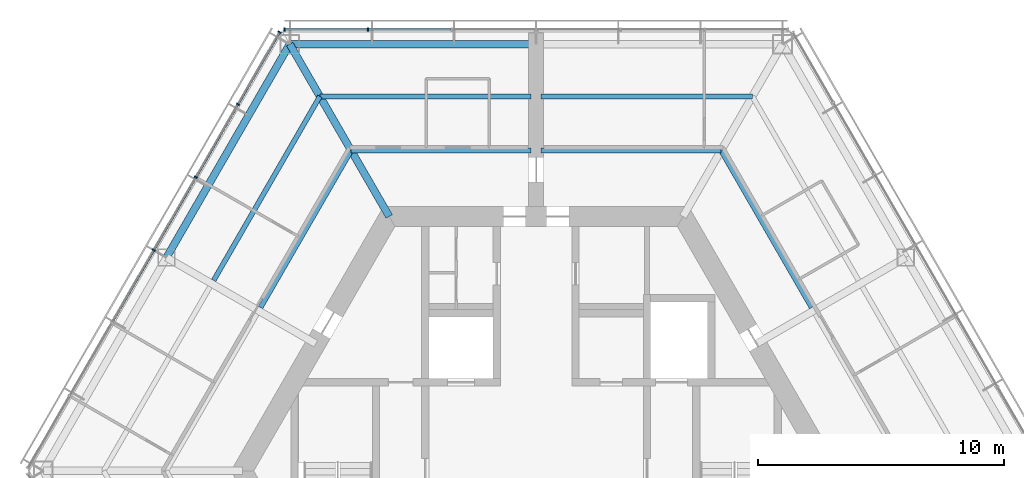
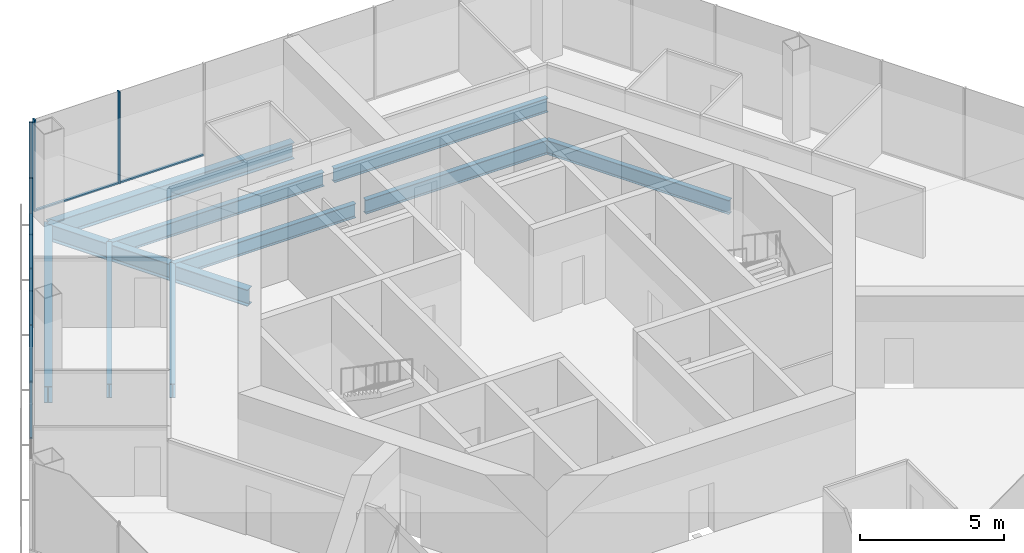
# One storey, part 6 of 16: 12 members, 10 beams, 2 elements without a shape of their own.
"""IFC4 building model written with IfcOpenShell, lengths in metres."""

from ifc_helpers import new_model, si_unit, direction, frame, origin, origin_2d, place, context, subcontext, project, spatial, rectangle, i_section, extrude, material, material_profile, profile_set, type_object, element, aggregate, save


model = new_model("IFC4")

# Units and contexts
model_context = context("Model", 3, precision=1e-05, world=origin(), true_north=direction((0.0, 1.0)))
body_context = subcontext(model_context, "Body", "Model", "MODEL_VIEW")
ifc_project = project(units=[si_unit("LENGTHUNIT", "METRE"), si_unit("AREAUNIT", "SQUARE_METRE"), si_unit("VOLUMEUNIT", "CUBIC_METRE"), si_unit("PLANEANGLEUNIT", "RADIAN"), si_unit("MASSUNIT", "GRAM", prefix="KILO")], contexts=[model_context])

# Site, building, storey
site_placement = place(None, origin())
site = spatial("IfcSite", under=ifc_project, at=site_placement, CompositionType="ELEMENT")
building_placement = place(site_placement, origin())
building = spatial("IfcBuilding", under=site, at=building_placement, Name="Kasaneha Research Tower", CompositionType="ELEMENT")
storey_placement = place(building_placement, frame((0.0, 0.0, 263.5)))
storey = spatial("IfcBuildingStorey", under=building, at=storey_placement, Name="L66", CompositionType="ELEMENT", Elevation=263.5)

# Beams
ifc_material_1 = material(Name="Steel SN490B", Category="steel")
ifc_material_profile_1 = material_profile(ifc_material_1, i_section(OverallWidth=0.199951171875, OverallDepth=0.60009765625, WebThickness=0.010986328125, FlangeThickness=0.01708984375, FilletRadius=0.012939453125, at=origin_2d()), Name="H-600x200x11x17")
ifc_profile_set_1 = profile_set([ifc_material_profile_1], Name="Steel SN490B")
beam_type_1 = type_object("IfcBeamType", Name="B1-3 secondary beam H-600x200x11x17", PredefinedType="JOIST", material=ifc_profile_set_1)
beam_1_placement = place(storey_placement, frame((7.505615234375, 13.0, -0.449951171875), z_axis=(0.499994443168, -0.866028611999, 0.0), x_axis=(0.866028611999, 0.499994443168, 0.0)))
element("IfcBeam", 1, at=beam_1_placement, inside=storey, type_object=beam_type_1, Name="Secondary beam RS030R1 L66", PredefinedType="JOIST", context=body_context, shape_type="SweptSolid", body=[
    extrude(i_section(OverallWidth=0.199951171875, OverallDepth=0.60009765625, WebThickness=0.010986328125, FlangeThickness=0.01708984375, FilletRadius=0.012939453125, at=origin_2d()), origin(), (0.0, 0.0, 1.0), 7.35546875),
])
beam_2_placement = place(storey_placement, frame((7.505615234375, 13.0, -0.449951171875), z_axis=(-1.0, 0.0, 0.0), x_axis=(0.0, -1.0, 0.0)))
element("IfcBeam", 2, at=beam_2_placement, inside=storey, type_object=beam_type_1, Name="Secondary beam RS090L1 L66", PredefinedType="JOIST", context=body_context, shape_type="SweptSolid", body=[
    extrude(i_section(OverallWidth=0.199951171875, OverallDepth=0.60009765625, WebThickness=0.010986328125, FlangeThickness=0.01708984375, FilletRadius=0.012939453125, at=origin_2d()), origin(), (0.0, 0.0, 1.0), 7.3056640625),
])
beam_3_placement = place(storey_placement, frame((8.775634765625, 15.199951171875, -0.449951171875), z_axis=(-1.0, 0.0, 0.0), x_axis=(0.0, -1.0, 0.0)))
element("IfcBeam", 3, at=beam_3_placement, inside=storey, type_object=beam_type_1, Name="Secondary beam RS090L2 L66", PredefinedType="JOIST", context=body_context, shape_type="SweptSolid", body=[
    extrude(i_section(OverallWidth=0.199951171875, OverallDepth=0.60009765625, WebThickness=0.010986328125, FlangeThickness=0.01708984375, FilletRadius=0.012939453125, at=origin_2d()), origin(), (0.0, 0.0, 1.0), 8.57568359375),
])
beam_4_placement = place(storey_placement, frame((-7.505615234375, 13.0, -0.449951171875), z_axis=(1.0, 0.0, 0.0), x_axis=(0.0, 1.0, 0.0)))
element("IfcBeam", 4, at=beam_4_placement, inside=storey, type_object=beam_type_1, Name="Secondary beam RS090R1 L66", PredefinedType="JOIST", context=body_context, shape_type="SweptSolid", body=[
    extrude(i_section(OverallWidth=0.199951171875, OverallDepth=0.60009765625, WebThickness=0.010986328125, FlangeThickness=0.01708984375, FilletRadius=0.012939453125, at=origin_2d()), origin(), (0.0, 0.0, 1.0), 7.3056640625),
])
beam_5_placement = place(storey_placement, frame((-8.775634765625, 15.199951171875, -0.449951171875), z_axis=(1.0, 0.0, 0.0), x_axis=(0.0, 1.0, 0.0)))
element("IfcBeam", 5, at=beam_5_placement, inside=storey, type_object=beam_type_1, Name="Secondary beam RS090R2 L66", PredefinedType="JOIST", context=body_context, shape_type="SweptSolid", body=[
    extrude(i_section(OverallWidth=0.199951171875, OverallDepth=0.60009765625, WebThickness=0.010986328125, FlangeThickness=0.01708984375, FilletRadius=0.012939453125, at=origin_2d()), origin(), (0.0, 0.0, 1.0), 8.57568359375),
])
beam_6_placement = place(storey_placement, frame((-7.505615234375, 13.0, -0.449951171875), z_axis=(-0.499994443168, -0.866028611999, 0.0), x_axis=(0.866028611999, -0.499994443168, 0.0)))
element("IfcBeam", 6, at=beam_6_placement, inside=storey, type_object=beam_type_1, Name="Secondary beam RS150L1 L66", PredefinedType="JOIST", context=body_context, shape_type="SweptSolid", body=[
    extrude(i_section(OverallWidth=0.199951171875, OverallDepth=0.60009765625, WebThickness=0.010986328125, FlangeThickness=0.01708984375, FilletRadius=0.012939453125, at=origin_2d()), origin(), (0.0, 0.0, 1.0), 7.35546875),
])
beam_7_placement = place(storey_placement, frame((-8.775634765625, 15.199951171875, -0.449951171875), z_axis=(-0.500017275495, -0.866015429543, 0.0), x_axis=(0.866015429543, -0.500017275495, 0.0)))
element("IfcBeam", 7, at=beam_7_placement, inside=storey, type_object=beam_type_1, Name="Secondary beam RS150L2 L66", PredefinedType="JOIST", context=body_context, shape_type="SweptSolid", body=[
    extrude(i_section(OverallWidth=0.199951171875, OverallDepth=0.60009765625, WebThickness=0.010986328125, FlangeThickness=0.01708984375, FilletRadius=0.012939453125, at=origin_2d()), origin(), (0.0, 0.0, 1.0), 8.625732421875),
])

# Curtain wall, members
ifc_material_2 = material(Name="Glass and aluminium", Category="aluminium")
curtain_wall_type = type_object("IfcCurtainWallType", Name="High-rise office curtain wall", PredefinedType="USERDEFINED", material=ifc_material_2)
curtain_wall_1_placement = place(storey_placement, origin())
curtain_wall_1 = element("IfcCurtainWall", 8, at=curtain_wall_1_placement, inside=storey, type_object=curtain_wall_type, Name="CW-O3 L66 run 02a", ObjectType="UNITISED CURTAIN WALL", PredefinedType="USERDEFINED")
ifc_material_3 = material(Name="Aluminium 6063-T6", Category="aluminium")
ifc_material_profile_2 = material_profile(ifc_material_3, rectangle(XDim=0.06005859375, YDim=0.139892578125, at=origin_2d()), Name="CW-O3 mullion 60x140")
ifc_profile_set_2 = profile_set([ifc_material_profile_2], Name="Aluminium 6063-T6")
member_type_1 = type_object("IfcMemberType", Name="CW-O3 mullion", PredefinedType="MULLION", material=ifc_profile_set_2)
member_1_placement = place(storey_placement, frame((-6.8310546875, 17.92041015625, 0.0), z_axis=(0.0, 0.0, 1.0), x_axis=(-1.0, 0.0, 0.0)))
member_1 = element("IfcMember", 9, at=member_1_placement, type_object=member_type_1, Name="CW-O3 mullion 6", PredefinedType="MULLION", context=body_context, shape_type="SweptSolid", body=[
    extrude(rectangle(XDim=0.06005859375, YDim=0.139892578125, at=origin_2d()), origin(), (0.0, 0.0, 1.0), 3.89990234375),
])
member_2_placement = place(storey_placement, frame((-10.21630859375, 17.92041015625, 0.0), z_axis=(0.0, 0.0, 1.0), x_axis=(-1.0, 0.0, 0.0)))
member_2 = element("IfcMember", 10, at=member_2_placement, type_object=member_type_1, Name="CW-O3 mullion 7", PredefinedType="MULLION", context=body_context, shape_type="SweptSolid", body=[
    extrude(rectangle(XDim=0.06005859375, YDim=0.139892578125, at=origin_2d()), origin(), (0.0, 0.0, 1.0), 3.89990234375),
])

curtain_wall_2_placement = place(storey_placement, origin())
curtain_wall_2 = element("IfcCurtainWall", 11, at=curtain_wall_2_placement, inside=storey, type_object=curtain_wall_type, Name="CW-O3 L66 run 03a", ObjectType="UNITISED CURTAIN WALL", PredefinedType="USERDEFINED")
member_3_placement = place(storey_placement, frame((-10.411376953125, 17.807861328125, 0.0), z_axis=(0.0, 0.0, 1.0), x_axis=(-0.499999995722, -0.866025406254, 0.0)))
member_3 = element("IfcMember", 12, at=member_3_placement, type_object=member_type_1, Name="CW-O3 mullion 1", PredefinedType="MULLION", context=body_context, shape_type="SweptSolid", body=[
    extrude(rectangle(XDim=0.06005859375, YDim=0.139892578125, at=origin_2d()), origin(), (0.0, 0.0, 1.0), 3.89990234375),
])
member_4_placement = place(storey_placement, frame((-12.104248046875, 14.8759765625, 0.0), z_axis=(0.0, 0.0, 1.0), x_axis=(-0.499999995722, -0.866025406254, 0.0)))
member_4 = element("IfcMember", 13, at=member_4_placement, type_object=member_type_1, Name="CW-O3 mullion 2", PredefinedType="MULLION", context=body_context, shape_type="SweptSolid", body=[
    extrude(rectangle(XDim=0.06005859375, YDim=0.139892578125, at=origin_2d()), origin(), (0.0, 0.0, 1.0), 3.89990234375),
])
member_5_placement = place(storey_placement, frame((-13.811767578125, 11.918212890625, 0.0), z_axis=(0.0, 0.0, 1.0), x_axis=(-0.499999995722, -0.866025406254, 0.0)))
member_5 = element("IfcMember", 14, at=member_5_placement, type_object=member_type_1, Name="CW-O3 mullion 3", PredefinedType="MULLION", context=body_context, shape_type="SweptSolid", body=[
    extrude(rectangle(XDim=0.06005859375, YDim=0.139892578125, at=origin_2d()), origin(), (0.0, 0.0, 1.0), 3.89990234375),
])
member_6_placement = place(storey_placement, frame((-15.51953125, 8.960205078125, 0.0), z_axis=(0.0, 0.0, 1.0), x_axis=(-0.499999995722, -0.866025406254, 0.0)))
member_6 = element("IfcMember", 15, at=member_6_placement, type_object=member_type_1, Name="CW-O3 mullion 4", PredefinedType="MULLION", context=body_context, shape_type="SweptSolid", body=[
    extrude(rectangle(XDim=0.06005859375, YDim=0.139892578125, at=origin_2d()), origin(), (0.0, 0.0, 1.0), 3.89990234375),
])

# Member
ifc_material_4 = material(Name="Aluminium 6063-T6", Category="aluminium")
ifc_material_profile_3 = material_profile(ifc_material_4, rectangle(XDim=0.10009765625, YDim=0.06005859375, at=origin_2d()), Name="CW-O3 transom 100x60")
ifc_profile_set_3 = profile_set([ifc_material_profile_3], Name="Aluminium 6063-T6")
member_type_2 = type_object("IfcMemberType", Name="CW-O3 transom", PredefinedType="USERDEFINED", material=ifc_profile_set_3)
member_7_placement = place(storey_placement, frame((-3.445556640625, 17.92041015625, 0.030029296875), z_axis=(-1.0, 0.0, 0.0), x_axis=(0.0, -1.0, 0.0)))
member_7 = element("IfcMember", 16, at=member_7_placement, type_object=member_type_2, Name="CW-O3 transom 5", ObjectType="TRANSOM", PredefinedType="USERDEFINED", context=body_context, shape_type="SweptSolid", body=[
    extrude(rectangle(XDim=0.10009765625, YDim=0.06005859375, at=origin_2d()), origin(), (0.0, 0.0, 1.0), 3.35546875),
])

member_8_placement = place(storey_placement, frame((-6.86083984375, 17.92041015625, 0.030029296875), z_axis=(-1.0, 0.0, 0.0), x_axis=(0.0, -1.0, 0.0)))
member_8 = element("IfcMember", 17, at=member_8_placement, type_object=member_type_2, Name="CW-O3 transom 6", ObjectType="TRANSOM", PredefinedType="USERDEFINED", context=body_context, shape_type="SweptSolid", body=[
    extrude(rectangle(XDim=0.10009765625, YDim=0.06005859375, at=origin_2d()), origin(), (0.0, 0.0, 1.0), 3.32568359375),
])

aggregate(curtain_wall_1, [member_1, member_2, member_7, member_8])

member_9_placement = place(storey_placement, frame((-10.426513671875, 17.781982421875, 0.030029296875), z_axis=(-0.49997666526, -0.866038875684, 0.0), x_axis=(0.866038875684, -0.49997666526, 0.0)))
member_9 = element("IfcMember", 18, at=member_9_placement, type_object=member_type_2, Name="CW-O3 transom 1", ObjectType="TRANSOM", PredefinedType="USERDEFINED", context=body_context, shape_type="SweptSolid", body=[
    extrude(rectangle(XDim=0.10009765625, YDim=0.06005859375, at=origin_2d()), origin(), (0.0, 0.0, 1.0), 3.325439453125),
])

member_10_placement = place(storey_placement, frame((-12.119140625, 14.85009765625, 0.030029296875), z_axis=(-0.499989072476, -0.866031712701, 0.0), x_axis=(0.866031712701, -0.499989072476, 0.0)))
member_10 = element("IfcMember", 19, at=member_10_placement, type_object=member_type_2, Name="CW-O3 transom 2", ObjectType="TRANSOM", PredefinedType="USERDEFINED", context=body_context, shape_type="SweptSolid", body=[
    extrude(rectangle(XDim=0.10009765625, YDim=0.06005859375, at=origin_2d()), origin(), (0.0, 0.0, 1.0), 3.35546875),
])

member_11_placement = place(storey_placement, frame((-13.826904296875, 11.89208984375, 0.030029296875), z_axis=(-0.500020578564, -0.866013522419, 0.0), x_axis=(0.866013522419, -0.500020578564, 0.0)))
member_11 = element("IfcMember", 20, at=member_11_placement, type_object=member_type_2, Name="CW-O3 transom 3", ObjectType="TRANSOM", PredefinedType="USERDEFINED", context=body_context, shape_type="SweptSolid", body=[
    extrude(rectangle(XDim=0.10009765625, YDim=0.06005859375, at=origin_2d()), origin(), (0.0, 0.0, 1.0), 3.355224609375),
])

member_12_placement = place(storey_placement, frame((-15.53466796875, 8.934326171875, 0.030029296875), z_axis=(-0.499989072476, -0.866031712701, 0.0), x_axis=(0.866031712701, -0.499989072476, 0.0)))
member_12 = element("IfcMember", 21, at=member_12_placement, type_object=member_type_2, Name="CW-O3 transom 4", ObjectType="TRANSOM", PredefinedType="USERDEFINED", context=body_context, shape_type="SweptSolid", body=[
    extrude(rectangle(XDim=0.10009765625, YDim=0.06005859375, at=origin_2d()), origin(), (0.0, 0.0, 1.0), 3.35546875),
])

aggregate(curtain_wall_2, [member_3, member_4, member_5, member_6, member_9, member_10, member_11, member_12])

# Beams
ifc_material_5 = material(Name="Steel SN490B", Category="steel")
ifc_material_profile_4 = material_profile(ifc_material_5, i_section(OverallWidth=0.300048828125, OverallDepth=0.699951171875, WebThickness=0.012939453125, FlangeThickness=0.02392578125, FilletRadius=0.01806640625, at=origin_2d()), Name="H-700x300x13x24")
ifc_profile_set_4 = profile_set([ifc_material_profile_4], Name="Steel SN490B")
beam_type_2 = type_object("IfcBeamType", Name="G1-3 radial girder H-700x300x13x24", PredefinedType="BEAM", material=ifc_profile_set_4)
beam_8_placement = place(storey_placement, frame((-5.961181640625, 10.324951171875, -0.5), z_axis=(-0.49999105496, 0.866030568144, 0.0), x_axis=(-0.866030568144, -0.49999105496, 0.0)))
element("IfcBeam", 22, at=beam_8_placement, inside=storey, type_object=beam_type_2, Name="Radial girder RV120 L66", PredefinedType="BEAM", context=body_context, shape_type="SweptSolid", body=[
    extrude(i_section(OverallWidth=0.300048828125, OverallDepth=0.699951171875, WebThickness=0.012939453125, FlangeThickness=0.02392578125, FilletRadius=0.01806640625, at=origin_2d()), origin(), (0.0, 0.0, 1.0), 8.077880859375),
])
ifc_material_6 = material(Name="Steel SN490B", Category="steel")
ifc_material_profile_5 = material_profile(ifc_material_6, i_section(OverallWidth=0.300048828125, OverallDepth=0.69189453125, WebThickness=0.012939453125, FlangeThickness=0.02001953125, FilletRadius=0.01806640625, at=origin_2d()), Name="H-692x300x13x20")
ifc_profile_set_5 = profile_set([ifc_material_profile_5], Name="Steel SN490B")
beam_type_3 = type_object("IfcBeamType", Name="G3-3 plate edge girder H-692x300x13x20", PredefinedType="BEAM", material=ifc_profile_set_5)
beam_9_placement = place(storey_placement, frame((-10.0, 17.320556640625, -0.49609375), z_axis=(1.0, 0.0, 0.0), x_axis=(0.0, 1.0, 0.0)))
element("IfcBeam", 23, at=beam_9_placement, inside=storey, type_object=beam_type_3, Name="Plate edge girder PEAN L66", PredefinedType="BEAM", context=body_context, shape_type="SweptSolid", body=[
    extrude(i_section(OverallWidth=0.300048828125, OverallDepth=0.69189453125, WebThickness=0.012939453125, FlangeThickness=0.02001953125, FilletRadius=0.01806640625, at=origin_2d()), origin(), (0.0, 0.0, 1.0), 9.800048828125),
])
ifc_material_7 = material(Name="Steel SN490B", Category="steel")
ifc_material_profile_6 = material_profile(ifc_material_7, i_section(OverallWidth=0.300048828125, OverallDepth=0.69189453125, WebThickness=0.012939453125, FlangeThickness=0.02001953125, FilletRadius=0.01806640625, at=origin_2d()), Name="H-692x300x13x20")
ifc_profile_set_6 = profile_set([ifc_material_profile_6], Name="Steel SN490B")
beam_type_4 = type_object("IfcBeamType", Name="SB1-3 spandrel beam H-692x300x13x20", PredefinedType="SPANDREL", material=ifc_profile_set_6)
beam_10_placement = place(storey_placement, frame((-10.0, 17.320556640625, -0.49609375), z_axis=(-0.499993662806, -0.866029062534, 0.0), x_axis=(0.866029062534, -0.499993662806, 0.0)))
element("IfcBeam", 24, at=beam_10_placement, inside=storey, type_object=beam_type_4, Name="Spandrel beam SR150L L66", PredefinedType="SPANDREL", context=body_context, shape_type="SweptSolid", body=[
    extrude(i_section(OverallWidth=0.300048828125, OverallDepth=0.69189453125, WebThickness=0.012939453125, FlangeThickness=0.02001953125, FilletRadius=0.01806640625, at=origin_2d()), origin(), (0.0, 0.0, 1.0), 10.000244140625),
])

save(model, "model.ifc")
